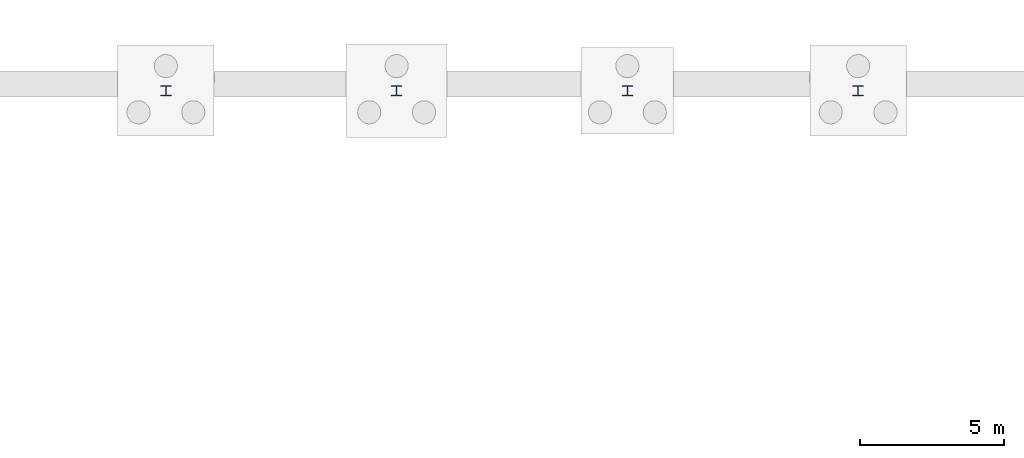
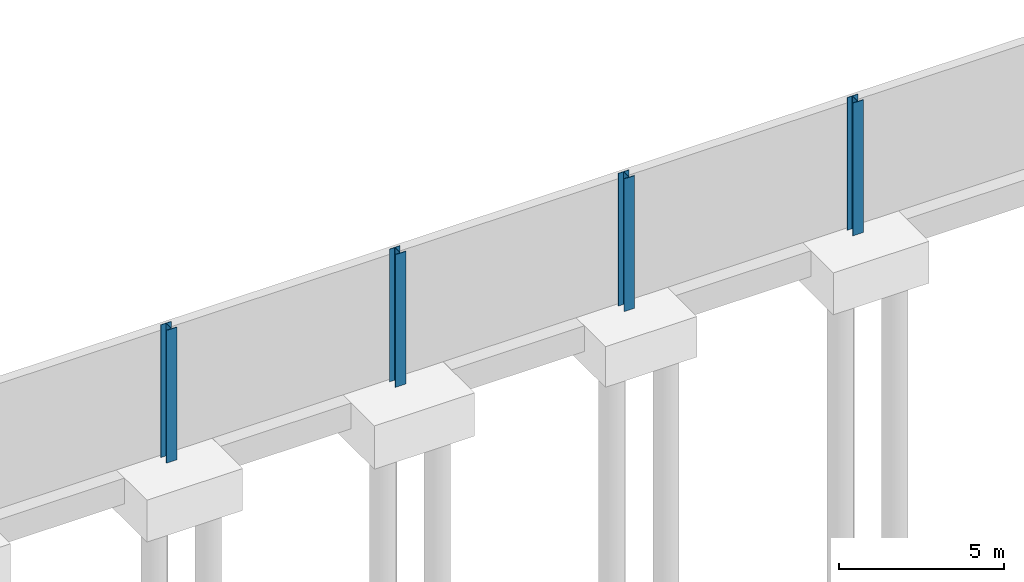
# One storey, part 27 of 51: 4 columns.
"""IFC4 building model written with IfcOpenShell, lengths in metres."""

from ifc_helpers import new_model, si_unit, direction, frame, origin, origin_2d, place, context, subcontext, project, spatial, i_section, extrude, material, material_profile, profile_set, type_object, element, save


model = new_model("IFC4")

# Units and contexts
model_context = context("Model", 3, precision=1e-05, world=origin(), true_north=direction((0.0, 1.0)))
body_context = subcontext(model_context, "Body", "Model", "MODEL_VIEW")
ifc_project = project(units=[si_unit("LENGTHUNIT", "METRE"), si_unit("AREAUNIT", "SQUARE_METRE"), si_unit("VOLUMEUNIT", "CUBIC_METRE"), si_unit("PLANEANGLEUNIT", "RADIAN"), si_unit("MASSUNIT", "GRAM", prefix="KILO")], contexts=[model_context])

# Site, building, storey
site_placement = place(None, origin())
site = spatial("IfcSite", under=ifc_project, at=site_placement, CompositionType="ELEMENT")
building_placement = place(site_placement, origin())
building = spatial("IfcBuilding", under=site, at=building_placement, Name="Jelvoka-Kovrelna Polytechnic", CompositionType="ELEMENT")
storey_placement = place(building_placement, frame((0.0, 0.0, -4.5)))
storey = spatial("IfcBuildingStorey", under=building, at=storey_placement, Name="B01", CompositionType="ELEMENT", Elevation=-4.5)

# Columns
ifc_material = material(Name="Structural steel S355JR", Category="steel")
ifc_material_profile = material_profile(ifc_material, i_section(OverallWidth=0.36865234375, OverallDepth=0.355712890625, WebThickness=0.010498046875, FlangeThickness=0.017578125, FilletRadius=0.01513671875, at=origin_2d()), Name="356x368x129 UC")
ifc_profile_set = profile_set([ifc_material_profile], Name="Structural steel S355JR")
column_type = type_object("IfcColumnType", Name="Col_Steel_UC356", PredefinedType="COLUMN", material=ifc_profile_set)
for number, where, z_axis, x_axis, name in (
    (1, (104.0, 120.0, -0.405029296875), (0.0, 0.0, 1.0), (1.0, 0.0, 0.0), "B01 column 1626"),
    (2, (112.0, 120.0, -0.405029296875), (0.0, 0.0, 1.0), (1.0, 0.0, 0.0), "B01 column 1629"),
    (3, (120.0, 120.0, -0.405029296875), (0.0, 0.0, 1.0), (1.0, 0.0, 0.0), "B01 column 1632"),
    (4, (128.0, 120.0, -0.405029296875), (0.0, 0.0, 1.0), (1.0, 0.0, 0.0), "B01 column 1635"),
):
    element("IfcColumn", number, at=place(storey_placement, frame(where, z_axis=z_axis, x_axis=x_axis)), inside=storey, type_object=column_type, Name=name, PredefinedType="COLUMN", context=body_context, shape_type="SweptSolid", body=[
        extrude(i_section(OverallWidth=0.36865234375, OverallDepth=0.355712890625, WebThickness=0.010498046875, FlangeThickness=0.017578125, FilletRadius=0.01513671875, at=origin_2d()), origin(), (0.0, 0.0, 1.0), 4.905029296875),
    ])

save(model, "model.ifc")
